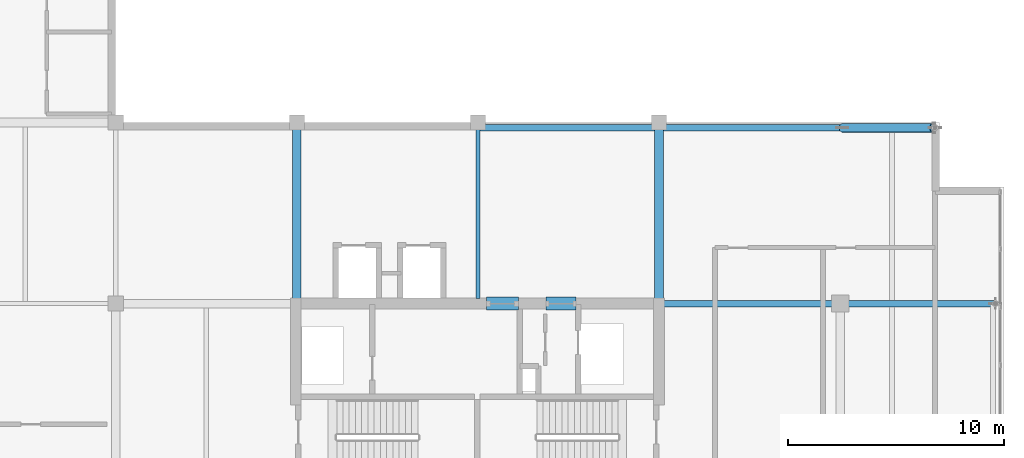
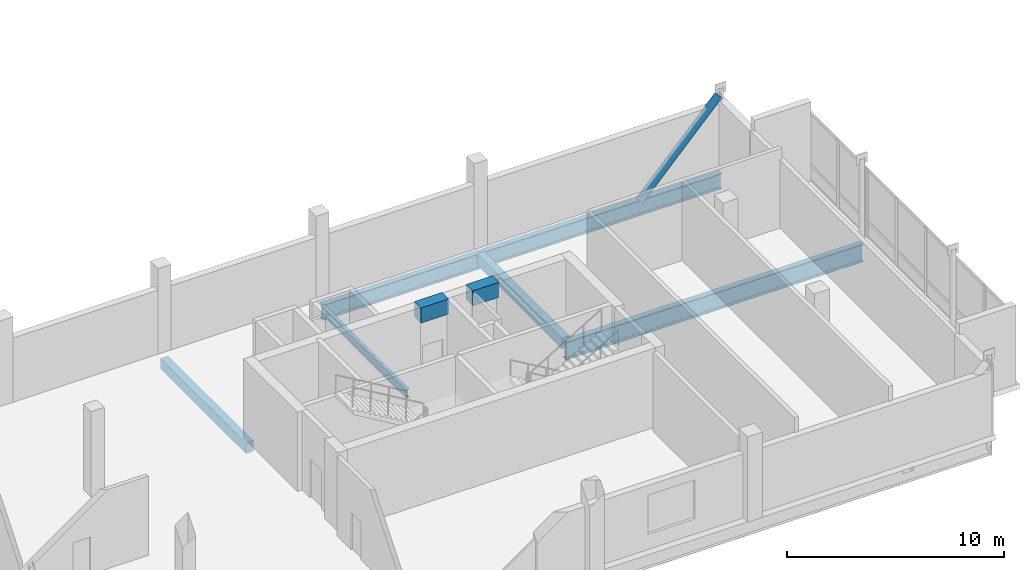
# One storey, part 3 of 18: 7 beams, 1 member.
"""IFC4 building model written with IfcOpenShell, lengths in metres."""

from ifc_helpers import new_model, si_unit, direction, frame, origin, origin_2d, place, context, subcontext, project, spatial, rectangle, hollow_circle, i_section, extrude, material, material_profile, profile_set, type_object, element, save


model = new_model("IFC4")

# Units and contexts
model_context = context("Model", 3, precision=1e-05, world=origin(), true_north=direction((0.0, 1.0)))
body_context = subcontext(model_context, "Body", "Model", "MODEL_VIEW")
ifc_project = project(units=[si_unit("LENGTHUNIT", "METRE"), si_unit("AREAUNIT", "SQUARE_METRE"), si_unit("VOLUMEUNIT", "CUBIC_METRE"), si_unit("PLANEANGLEUNIT", "RADIAN"), si_unit("MASSUNIT", "GRAM", prefix="KILO")], contexts=[model_context])

# Site, building, storey
site_placement = place(None, origin())
site = spatial("IfcSite", under=ifc_project, at=site_placement, CompositionType="ELEMENT")
building_placement = place(site_placement, origin())
building = spatial("IfcBuilding", under=site, at=building_placement, Name="Koriwani Terraces Tower", CompositionType="ELEMENT")
storey_placement = place(building_placement, frame((0.0, 0.0, 363.800048828125)))
storey = spatial("IfcBuildingStorey", under=building, at=storey_placement, Name="L90", CompositionType="ELEMENT", Elevation=363.800048828125)

# Beams
ifc_material_1 = material(Name="Concrete C50/60", Category="concrete")
ifc_material_profile_1 = material_profile(ifc_material_1, rectangle(XDim=0.60009765625, YDim=0.85009765625, at=origin_2d()), Name="Concrete C50/60", Category="LoadBearing")
ifc_profile_set_1 = profile_set([ifc_material_profile_1], Name="Concrete C50/60")
beam_type_1 = type_object("IfcBeamType", Name="BEAM_RC_COUPLING_600X850", PredefinedType="LINTEL", material=ifc_profile_set_1)
beam_1_placement = place(storey_placement, frame((50.800048828125, 25.199951171875, 4.02490234375), z_axis=(1.0, 0.0, 0.0), x_axis=(0.0, 1.0, 0.0)))
element("IfcBeam", 1, at=beam_1_placement, inside=storey, type_object=beam_type_1, Name="L90 Core Coupling Lintel Beam EN1", PredefinedType="LINTEL", context=body_context, shape_type="SweptSolid", body=[
    extrude(rectangle(XDim=0.60009765625, YDim=0.85009765625, at=origin_2d()), origin(), (0.0, 0.0, 1.0), 1.47998046875),
])
beam_2_placement = place(storey_placement, frame((53.550048828125, 25.199951171875, 4.02490234375), z_axis=(1.0, 0.0, 0.0), x_axis=(0.0, 1.0, 0.0)))
element("IfcBeam", 2, at=beam_2_placement, inside=storey, type_object=beam_type_1, Name="L90 Core Coupling Lintel Beam EN2", PredefinedType="LINTEL", context=body_context, shape_type="SweptSolid", body=[
    extrude(rectangle(XDim=0.60009765625, YDim=0.85009765625, at=origin_2d()), origin(), (0.0, 0.0, 1.0), 1.39990234375),
])
ifc_material_2 = material(Name="Concrete C40/50", Category="concrete")
ifc_material_profile_2 = material_profile(ifc_material_2, rectangle(XDim=0.39990234375, YDim=0.60009765625, at=origin_2d()), Name="Concrete C40/50", Category="LoadBearing")
ifc_profile_set_2 = profile_set([ifc_material_profile_2], Name="Concrete C40/50")
beam_type_2 = type_object("IfcBeamType", Name="BEAM_RC_GRID_400X600", PredefinedType="BEAM", material=ifc_profile_set_2)
for number, where, z_axis, x_axis, name in (
    (3, (42.0, 25.429931640625, -0.60009765625), (0.0, 1.0, 0.0), (-1.0, 0.0, 0.0), "L90 Grid Beam 6 (25.2-33.6m)"),
    (4, (58.800048828125, 25.429931640625, -0.60009765625), (0.0, 1.0, 0.0), (-1.0, 0.0, 0.0), "L90 Grid Beam 8 (25.2-33.6m)"),
):
    element("IfcBeam", number, at=place(storey_placement, frame(where, z_axis=z_axis, x_axis=x_axis)), inside=storey, type_object=beam_type_2, Name=name, PredefinedType="BEAM", context=body_context, shape_type="SweptSolid", body=[
        extrude(rectangle(XDim=0.39990234375, YDim=0.60009765625, at=origin_2d()), origin(), (0.0, 0.0, 1.0), 7.840087890625),
    ])

# Member
ifc_material_3 = material(Name="Steel ASTM A572 Grade 50", Category="steel")
ifc_material_profile_3 = material_profile(ifc_material_3, hollow_circle(Radius=0.202880859375, WallThickness=0.01611328125, at=origin_2d()), Name="Steel ASTM A572 Grade 50", Category="LoadBearing")
ifc_profile_set_3 = profile_set([ifc_material_profile_3], Name="Steel ASTM A572 Grade 50")
member_type = type_object("IfcMemberType", Name="BELT_TRUSS_DIAG_CHS406X16", PredefinedType="BRACE", material=ifc_profile_set_3)
member_placement = place(storey_placement, frame((67.300048828125, 33.35009765625, -0.400146484375), z_axis=(0.686363404248, 0.0, 0.727258741652), x_axis=(0.0, 1.0, 0.0)))
element("IfcMember", 5, at=member_placement, inside=storey, type_object=member_type, Name="L90 Sky-Lounge Facade Cantilever Strut N1", PredefinedType="BRACE", context=body_context, shape_type="SweptSolid", body=[
    extrude(hollow_circle(Radius=0.202880859375, WallThickness=0.01611328125, at=origin_2d()), origin(), (0.0, 0.0, 1.0), 6.119140625),
])

# Beams
ifc_material_profile_4 = material_profile(ifc_material_3, i_section(OverallWidth=0.300048828125, OverallDepth=1.0, WebThickness=0.01904296875, FlangeThickness=0.035888671875, at=origin_2d()), Name="Steel ASTM A572 Grade 50", Category="LoadBearing")
ifc_profile_set_4 = profile_set([ifc_material_profile_4], Name="Steel ASTM A572 Grade 50")
beam_type_3 = type_object("IfcBeamType", Name="STEEL_BEAM_W1000X371", PredefinedType="USERDEFINED", material=ifc_profile_set_4)
beam_3_placement = place(storey_placement, frame((58.60009765625, 25.199951171875, -0.800048828125), z_axis=(1.0, 0.0, 0.0), x_axis=(0.0, 1.0, 0.0)))
element("IfcBeam", 6, at=beam_3_placement, inside=storey, type_object=beam_type_3, Name="L90 Sky-Lounge Cantilever Girder Bottom Y=25.2m", ObjectType="GIRDER", PredefinedType="USERDEFINED", context=body_context, shape_type="SweptSolid", body=[
    extrude(i_section(OverallWidth=0.300048828125, OverallDepth=1.0, WebThickness=0.01904296875, FlangeThickness=0.035888671875, at=origin_2d()), origin(), (0.0, 0.0, 1.0), 15.7998046875),
])
ifc_material_profile_5 = material_profile(ifc_material_3, i_section(OverallWidth=0.193115234375, OverallDepth=0.462890625, WebThickness=0.0107421875, FlangeThickness=0.017333984375, at=origin_2d()), Name="Steel ASTM A572 Grade 50", Category="LoadBearing")
ifc_profile_set_5 = profile_set([ifc_material_profile_5], Name="Steel ASTM A572 Grade 50")
beam_type_4 = type_object("IfcBeamType", Name="STEEL_BEAM_W460X113", PredefinedType="BEAM", material=ifc_profile_set_5)
beam_4_placement = place(storey_placement, frame((50.39990234375, 25.429931640625, -0.531494140625), z_axis=(0.0, 1.0, 0.0), x_axis=(-1.0, 0.0, 0.0)))
element("IfcBeam", 7, at=beam_4_placement, inside=storey, type_object=beam_type_4, Name="L90 Grid Beam 7 (25.2-33.6m)", PredefinedType="BEAM", context=body_context, shape_type="SweptSolid", body=[
    extrude(i_section(OverallWidth=0.193115234375, OverallDepth=0.462890625, WebThickness=0.0107421875, FlangeThickness=0.017333984375, at=origin_2d()), origin(), (0.0, 0.0, 1.0), 7.840087890625),
])
ifc_material_profile_6 = material_profile(ifc_material_3, i_section(OverallWidth=0.2919921875, OverallDepth=0.85498046875, WebThickness=0.018310546875, FlangeThickness=0.029296875, at=origin_2d()), Name="Steel ASTM A572 Grade 50", Category="LoadBearing")
ifc_profile_set_6 = profile_set([ifc_material_profile_6], Name="Steel ASTM A572 Grade 50")
beam_type_5 = type_object("IfcBeamType", Name="STEEL_BEAM_W840X299", PredefinedType="USERDEFINED", material=ifc_profile_set_6)
beam_5_placement = place(storey_placement, frame((50.39990234375, 33.35009765625, -0.7275390625), z_axis=(1.0, 0.0, 0.0), x_axis=(0.0, 1.0, 0.0)))
element("IfcBeam", 8, at=beam_5_placement, inside=storey, type_object=beam_type_5, Name="L90 Sky-Lounge Edge Cantilever Girder (N)", ObjectType="GIRDER", PredefinedType="USERDEFINED", context=body_context, shape_type="SweptSolid", body=[
    extrude(i_section(OverallWidth=0.2919921875, OverallDepth=0.85498046875, WebThickness=0.018310546875, FlangeThickness=0.029296875, at=origin_2d()), origin(), (0.0, 0.0, 1.0), 21.2001953125),
])

save(model, "model.ifc")
